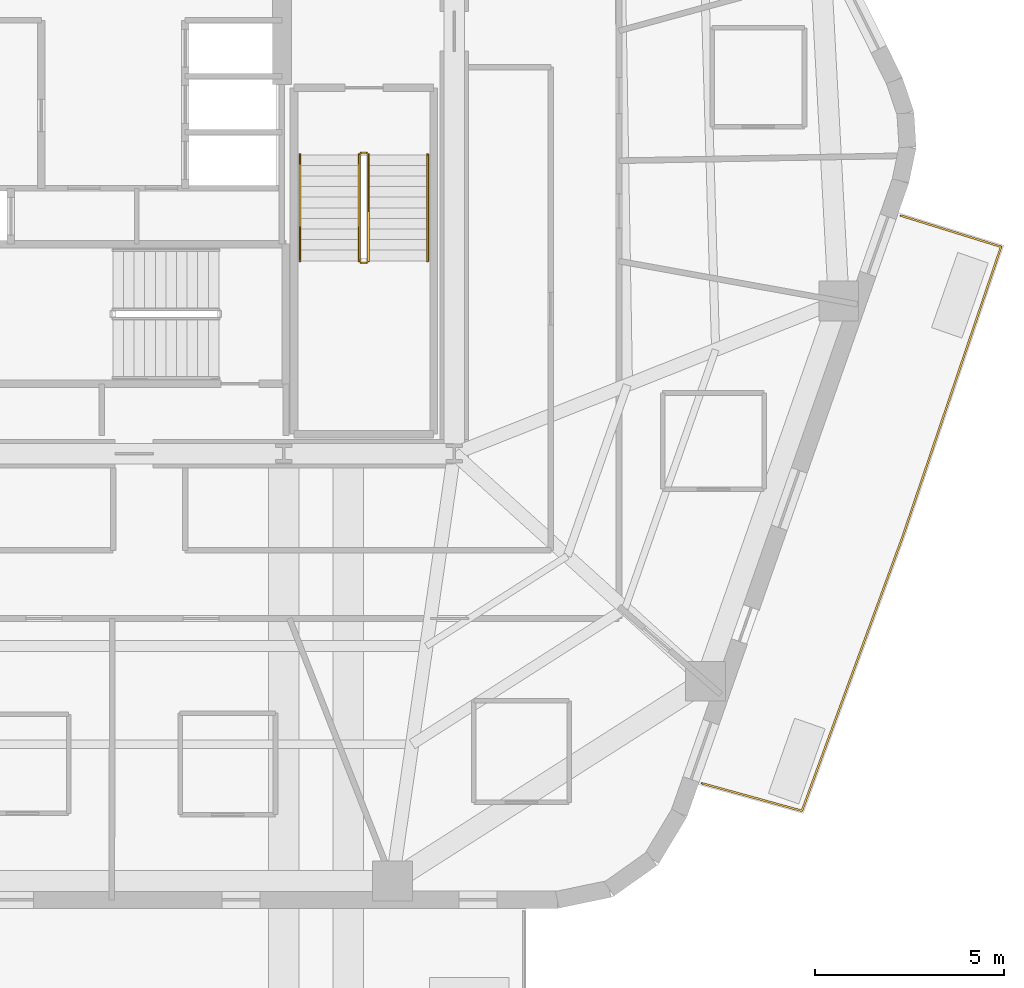
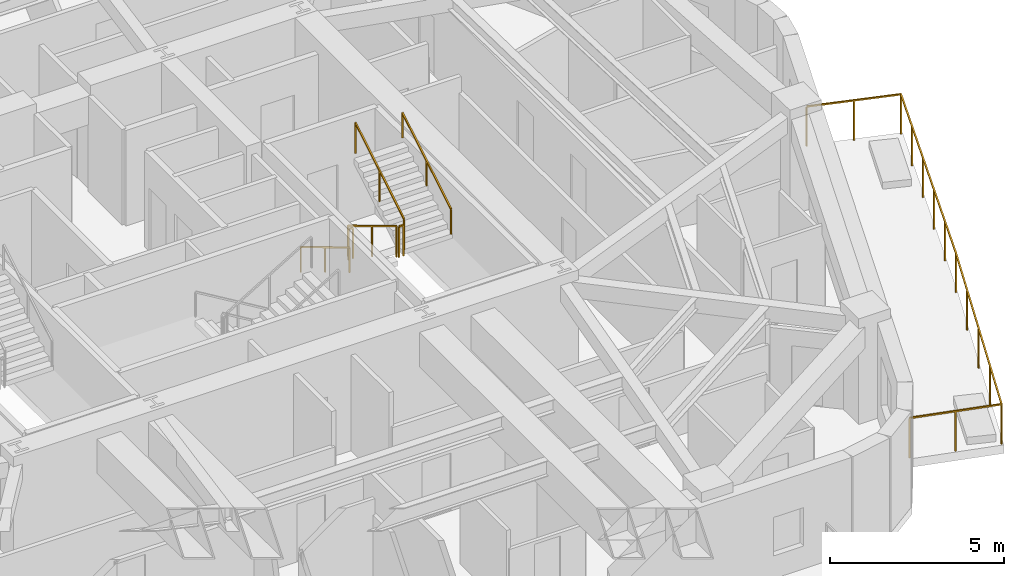
# One storey, part 10 of 11: 7 railings.
"""IFC4 building model written with IfcOpenShell, lengths in metres."""

import ifcopenshell
import ifcopenshell.guid

model = None  # the IFC model being written
_history = None  # IfcOwnerHistory: only IFC2X3 demands one
_inside = {}  # id of a spatial element -> (the spatial element, [elements in it])
_under = {}  # id of a project, library or spatial element -> (it, [spatial elements below it])
_declared = {}  # id of a project -> (the project, [libraries it declares])
_typed = {}  # id of a type object -> (the type object, [elements of that type])
_made_of = {}  # id of a material, layer set ... -> (it, [elements and type objects made of it])


def new_model(schema):
    """Start an empty IFC model of exactly this schema.

    Asked for "IFC4X3", IfcOpenShell would pick the latest addendum, in which some entities
    have other attributes; the version numbers below select the first issue.
    IFC2X3 requires an IfcOwnerHistory on every rooted entity: one is made here for all.
    """
    global model, _history
    if schema == "IFC4X3":
        model = ifcopenshell.file(schema_version=(4, 3, 0, 0))
    else:
        model = ifcopenshell.file(schema=schema)
    _inside.clear()
    _under.clear()
    _declared.clear()
    _typed.clear()
    _made_of.clear()
    _history = None
    if model.schema == "IFC2X3":
        org = make("IfcOrganization", Name="unknown")
        user = make(
            "IfcPersonAndOrganization",
            ThePerson=make("IfcPerson", FamilyName="unknown"),
            TheOrganization=org,
        )
        app = make(
            "IfcApplication",
            ApplicationDeveloper=org,
            Version="unknown",
            ApplicationFullName="unknown",
            ApplicationIdentifier="unknown",
        )
        _history = make(
            "IfcOwnerHistory",
            OwningUser=user,
            OwningApplication=app,
            ChangeAction="ADDED",
            CreationDate=0,
        )
    return model


def make(cls, **values):
    """One entity of the class cls with the attributes given. An attribute that is None is left unset."""
    return model.create_entity(
        cls, **{name: value for name, value in values.items() if value is not None}
    )


def rooted(cls, **values):
    """An entity with a GlobalId (a new one), such as an element, a storey or a relation."""
    return make(cls, GlobalId=ifcopenshell.guid.new(), OwnerHistory=_history, **values)


def si_unit(unit_type, name, prefix=None):
    """IfcSIUnit, for example si_unit("LENGTHUNIT", "METRE", prefix="MILLI")."""
    return make("IfcSIUnit", UnitType=unit_type, Prefix=prefix, Name=name)


def assignment(units):
    """IfcUnitAssignment: the units of a project."""
    return None if units is None else make("IfcUnitAssignment", Units=units)


def point(xyz):
    """IfcCartesianPoint."""
    return None if xyz is None else make("IfcCartesianPoint", Coordinates=xyz)


def direction(xyz):
    """IfcDirection."""
    return None if xyz is None else make("IfcDirection", DirectionRatios=xyz)


def frame(location, z_axis=None, x_axis=None):
    """IfcAxis2Placement3D, a coordinate frame: its origin and axes. An axis left out is left unset."""
    return make(
        "IfcAxis2Placement3D",
        Location=point(location),
        Axis=direction(z_axis),
        RefDirection=direction(x_axis),
    )


def frame_2d(location, x_axis=None):
    """IfcAxis2Placement2D, a coordinate frame in the plane: its origin and x axis."""
    return make(
        "IfcAxis2Placement2D", Location=point(location), RefDirection=direction(x_axis)
    )


def origin():
    """The frame at (0, 0, 0) with its axes left unset."""
    return frame((0.0, 0.0, 0.0))


def origin_2d():
    """The frame at (0, 0) in the plane with its x axis left unset."""
    return frame_2d((0.0, 0.0))


def place(relative_to, where):
    """IfcLocalPlacement: puts the frame where relative to a parent placement (None: the world)."""
    return make(
        "IfcLocalPlacement", PlacementRelTo=relative_to, RelativePlacement=where
    )


def context(
    kind, dimensions, precision=None, world=None, true_north=None, identifier=None
):
    """IfcGeometricRepresentationContext, for example the 3D "Model" context."""
    return make(
        "IfcGeometricRepresentationContext",
        ContextIdentifier=identifier,
        ContextType=kind,
        CoordinateSpaceDimension=dimensions,
        Precision=precision,
        WorldCoordinateSystem=world,
        TrueNorth=true_north,
    )


def subcontext(parent, identifier, kind, view, scale=None):
    """IfcGeometricRepresentationSubContext, for example "Body" below "Model"."""
    return make(
        "IfcGeometricRepresentationSubContext",
        ContextIdentifier=identifier,
        ContextType=kind,
        ParentContext=parent,
        TargetScale=scale,
        TargetView=view,
    )


def project(units=None, contexts=None):
    """IfcProject with its units and contexts."""
    return rooted(
        "IfcProject",
        Name="project",
        RepresentationContexts=contexts,
        UnitsInContext=assignment(units),
    )


def spatial(cls, under=None, at=None, **own):
    """A site, building, storey or space (cls), placed at a placement, below another one or the project."""
    s = rooted(cls, ObjectPlacement=at, **own)
    if under is not None:
        _under.setdefault(under.id(), (under, []))[1].append(s)
    return s


def profile(cls, at=None, kind="AREA", **sizes):
    """A parametric profile (cls). Its sizes go by their IFC names, for example OverallWidth=200.0."""
    return make(cls, ProfileType=kind, Position=at, **sizes)


def rectangle(**sizes):
    """IfcRectangleProfileDef."""
    return profile("IfcRectangleProfileDef", **sizes)


def extrude(swept, where, along, depth):
    """IfcExtrudedAreaSolid: the profile swept, set in the frame where, extruded along a direction by depth."""
    return make(
        "IfcExtrudedAreaSolid",
        SweptArea=swept,
        Position=where,
        ExtrudedDirection=direction(along),
        Depth=depth,
    )


def shape(context_of_items, identifier, shape_type, items):
    """IfcShapeRepresentation: the items that make up one representation, for example the "Body"."""
    return make(
        "IfcShapeRepresentation",
        ContextOfItems=context_of_items,
        RepresentationIdentifier=identifier,
        RepresentationType=shape_type,
        Items=items,
    )


def material(Name=None, Category=None):
    """IfcMaterial."""
    return make("IfcMaterial", Name=Name, Category=Category)


def layer(
    of_material, thickness, ventilated=None, Name=None, Category=None, Priority=None
):
    """IfcMaterialLayer: one layer of a wall or slab, of a material (None: an air gap)."""
    return make(
        "IfcMaterialLayer",
        Material=of_material,
        LayerThickness=thickness,
        IsVentilated=ventilated,
        Name=Name,
        Category=Category,
        Priority=Priority,
    )


def layer_set(layers, Name=None):
    """IfcMaterialLayerSet."""
    return make("IfcMaterialLayerSet", MaterialLayers=layers, LayerSetName=Name)


def made_of(thing, what):
    """Note that an element or type object is made of a material, layer set ...; save() writes the relation."""
    if what is not None:
        _made_of.setdefault(what.id(), (what, []))[1].append(thing)
    return thing


def type_object(cls, material=None, **own):
    """A type object (cls), such as IfcWallType, which elements share."""
    return made_of(rooted(cls, **own), material)


def element(
    cls,
    number,
    at=None,
    inside=None,
    cuts=None,
    type_object=None,
    material=None,
    context=None,
    identifier="Body",
    shape_type=None,
    held_by="IfcProductDefinitionShape",
    body=None,
    shapes=None,
    **own,
):
    """One element of the class cls, such as IfcWall. Its Tag is "e" and its number.

    at: its placement. inside: the storey or other place that contains it. cuts: it is an
    opening in that element (IfcRelVoidsElement). A single representation is given by context,
    identifier, shape_type and body (its items); several are given by shapes. held_by: the class
    of the entity that holds the representations. save() writes the other relations.
    """
    e = rooted(cls, Tag="e%d" % number, ObjectPlacement=at, **own)
    if body is not None:
        shapes = [shape(context, identifier, shape_type, body)]
    if shapes is not None:
        e.Representation = make(held_by, Representations=shapes)
    if inside is not None:
        _inside.setdefault(inside.id(), (inside, []))[1].append(e)
    if cuts is not None:
        rooted(
            "IfcRelVoidsElement", RelatingBuildingElement=cuts, RelatedOpeningElement=e
        )
    if type_object is not None:
        _typed.setdefault(type_object.id(), (type_object, []))[1].append(e)
    return made_of(e, material)


def aggregate(whole, parts):
    """IfcRelAggregates: a whole, such as a stair, and the parts it consists of."""
    return rooted("IfcRelAggregates", RelatingObject=whole, RelatedObjects=parts)


def save(model, path):
    """Write the relations noted so far, then the file.

    IfcRelAggregates (storeys below a building ...), IfcRelContainedInSpatialStructure (elements
    in a storey), IfcRelDefinesByType, IfcRelAssociatesMaterial and IfcRelDeclares: one each for
    every whole, place, type object, material and project.
    """
    for whole, parts in _under.values():
        aggregate(whole, parts)
    for where, things in _inside.values():
        rooted(
            "IfcRelContainedInSpatialStructure",
            RelatedElements=things,
            RelatingStructure=where,
        )
    for kind, things in _typed.values():
        rooted("IfcRelDefinesByType", RelatedObjects=things, RelatingType=kind)
    for what, things in _made_of.values():
        rooted("IfcRelAssociatesMaterial", RelatedObjects=things, RelatingMaterial=what)
    for by, libraries in _declared.values():
        rooted("IfcRelDeclares", RelatingContext=by, RelatedDefinitions=libraries)
    model.write(path)


model = new_model("IFC4")

# Units and contexts
model_context = context("Model", 3, precision=1e-05, world=origin(), true_north=direction((0.0, 1.0)))
body_context = subcontext(model_context, "Body", "Model", "MODEL_VIEW")
ifc_project = project(units=[si_unit("LENGTHUNIT", "METRE"), si_unit("AREAUNIT", "SQUARE_METRE"), si_unit("VOLUMEUNIT", "CUBIC_METRE"), si_unit("PLANEANGLEUNIT", "RADIAN"), si_unit("MASSUNIT", "GRAM", prefix="KILO")], contexts=[model_context])

# Site, building, storey
site_placement = place(None, origin())
site = spatial("IfcSite", under=ifc_project, at=site_placement, CompositionType="ELEMENT")
building_placement = place(site_placement, origin())
building = spatial("IfcBuilding", under=site, at=building_placement, Name="Kilnhurst Terrace Hotel", CompositionType="ELEMENT")
storey_placement = place(building_placement, frame((0.0, 0.0, 197.800048828125)))
storey = spatial("IfcBuildingStorey", under=building, at=storey_placement, Name="L49", CompositionType="ELEMENT", Elevation=197.800048828125)

# Railings
ifc_material_1 = material(Name="Laminated SentryGlas and Stainless Steel AISI 316L Balustrade", Category="steel")
ifc_layer_1 = layer(ifc_material_1, 0.070068359375, Name="Laminated SentryGlas and Stainless Steel AISI 316L Balustrade")
ifc_layer_set_1 = layer_set([ifc_layer_1], Name="Laminated SentryGlas and Stainless Steel AISI 316L Balustrade")
railing_type_1 = type_object("IfcRailingType", Name="RLG-BAL-1420", PredefinedType="BALUSTRADE", material=ifc_layer_set_1)
railing_1_placement = place(storey_placement, frame((20.783935546875, -1.215087890625, 0.0)))
element("IfcRailing", 1, at=railing_1_placement, inside=storey, type_object=railing_type_1, Name="L49 Exterior Terrace Guardrail BAL-L1B.1", PredefinedType="BALUSTRADE", context=body_context, shape_type="SweptSolid", body=[
    extrude(rectangle(XDim=0.048095703125, YDim=0.048095703125, at=origin_2d()), frame((0.0, 0.0, 1.39599609375), z_axis=(0.954948187333, -0.29677257203, 0.0), x_axis=(0.29677257203, 0.954948187333, 0.0)), (0.0, 0.0, 1.0), 2.7763671875),
    extrude(rectangle(XDim=0.048095703125, YDim=0.048095703125, at=origin_2d()), frame((2.6513671875, -0.823974609375, 1.39599609375), z_axis=(-0.321641701575, -0.946861455445, 0.0), x_axis=(0.946861455445, -0.321641701575, 0.0)), (0.0, 0.0, 1.0), 8.082275390625),
    extrude(rectangle(XDim=0.048095703125, YDim=0.048095703125, at=origin_2d()), frame((0.0517578125, -8.476806640625, 1.39599609375), z_axis=(-0.344704120874, -0.938711387516, 0.0), x_axis=(0.938711387516, -0.344704120874, 0.0)), (0.0, 0.0, 1.0), 7.7080078125),
    extrude(rectangle(XDim=0.048095703125, YDim=0.048095703125, at=origin_2d()), frame((-2.605224609375, -15.71240234375, 1.39599609375), z_axis=(-0.964239560757, 0.265032204593, 0.0), x_axis=(-0.265032204593, -0.964239560757, 0.0)), (0.0, 0.0, 1.0), 2.739501953125),
    extrude(rectangle(XDim=0.0419921875, YDim=0.0419921875, at=origin_2d()), origin(), (0.0, 0.0, 1.0), 1.371826171875),
    extrude(rectangle(XDim=0.0419921875, YDim=0.0419921875, at=origin_2d()), frame((1.32568359375, -0.412109375, 0.0)), (0.0, 0.0, 1.0), 1.371826171875),
    extrude(rectangle(XDim=0.0419921875, YDim=0.0419921875, at=origin_2d()), frame((2.6513671875, -0.823974609375, 0.0)), (0.0, 0.0, 1.0), 1.371826171875),
    extrude(rectangle(XDim=0.0419921875, YDim=0.0419921875, at=origin_2d()), frame((2.13134765625, -2.3544921875, 0.0)), (0.0, 0.0, 1.0), 1.371826171875),
    extrude(rectangle(XDim=0.0419921875, YDim=0.0419921875, at=origin_2d()), frame((1.611572265625, -3.885009765625, 0.0)), (0.0, 0.0, 1.0), 1.371826171875),
    extrude(rectangle(XDim=0.0419921875, YDim=0.0419921875, at=origin_2d()), frame((1.091552734375, -5.415771484375, 0.0)), (0.0, 0.0, 1.0), 1.371826171875),
    extrude(rectangle(XDim=0.0419921875, YDim=0.0419921875, at=origin_2d()), frame((0.57177734375, -6.9462890625, 0.0)), (0.0, 0.0, 1.0), 1.371826171875),
    extrude(rectangle(XDim=0.0419921875, YDim=0.0419921875, at=origin_2d()), frame((0.0517578125, -8.476806640625, 0.0)), (0.0, 0.0, 1.0), 1.371826171875),
    extrude(rectangle(XDim=0.0419921875, YDim=0.0419921875, at=origin_2d()), frame((-0.612548828125, -10.28564453125, 0.0)), (0.0, 0.0, 1.0), 1.371826171875),
    extrude(rectangle(XDim=0.0419921875, YDim=0.0419921875, at=origin_2d()), frame((-1.27685546875, -12.0947265625, 0.0)), (0.0, 0.0, 1.0), 1.371826171875),
    extrude(rectangle(XDim=0.0419921875, YDim=0.0419921875, at=origin_2d()), frame((-1.94091796875, -13.903564453125, 0.0)), (0.0, 0.0, 1.0), 1.371826171875),
    extrude(rectangle(XDim=0.0419921875, YDim=0.0419921875, at=origin_2d()), frame((-2.605224609375, -15.71240234375, 0.0)), (0.0, 0.0, 1.0), 1.371826171875),
    extrude(rectangle(XDim=0.0419921875, YDim=0.0419921875, at=origin_2d()), frame((-3.926025390625, -15.349365234375, 0.0)), (0.0, 0.0, 1.0), 1.371826171875),
    extrude(rectangle(XDim=0.0419921875, YDim=0.0419921875, at=origin_2d()), frame((-5.246826171875, -14.986328125, 0.0)), (0.0, 0.0, 1.0), 1.371826171875),
])
ifc_material_2 = material(Name="Powder-Coated Steel ASTM A500 Grade B", Category="steel")
ifc_layer_2 = layer(ifc_material_2, 0.050048828125, Name="Powder-Coated Steel ASTM A500 Grade B")
ifc_layer_set_2 = layer_set([ifc_layer_2], Name="Powder-Coated Steel ASTM A500 Grade B")
railing_type_2 = type_object("IfcRailingType", Name="RLG-ST-GRD-1100", PredefinedType="GUARDRAIL", material=ifc_layer_set_2)
railing_2_placement = place(storey_placement, frame((6.489990234375, 0.389892578125, 0.168212890625)))
element("IfcRailing", 2, at=railing_2_placement, inside=storey, type_object=railing_type_2, Name="L49 ST-2 stair guard 1", PredefinedType="GUARDRAIL", context=body_context, shape_type="SweptSolid", body=[
    extrude(rectangle(XDim=0.048095703125, YDim=0.048095703125, at=origin_2d()), frame((0.0, 0.0, 1.076171875), z_axis=(0.0, -0.857255387014, 0.514891446264), x_axis=(1.0, 0.0, 0.0)), (0.0, 0.0, 1.0), 3.26611328125),
    extrude(rectangle(XDim=0.0419921875, YDim=0.0419921875, at=origin_2d()), origin(), (0.0, 0.0, 1.0), 1.052001953125),
    extrude(rectangle(XDim=0.0419921875, YDim=0.0419921875, at=origin_2d()), frame((0.0, -1.39990234375, 0.8408203125)), (0.0, 0.0, 1.0), 1.052001953125),
    extrude(rectangle(XDim=0.0419921875, YDim=0.0419921875, at=origin_2d()), frame((0.0, -2.7998046875, 1.681640625)), (0.0, 0.0, 1.0), 1.052001953125),
])
railing_3_placement = place(storey_placement, frame((6.5400390625, -2.4599609375, 1.849853515625)))
element("IfcRailing", 3, at=railing_3_placement, inside=storey, type_object=railing_type_2, Name="L49 ST-2 stair guard 2", PredefinedType="GUARDRAIL", context=body_context, shape_type="SweptSolid", body=[
    extrude(rectangle(XDim=0.048095703125, YDim=0.048095703125, at=origin_2d()), frame((0.0, 0.0, 1.076171875), z_axis=(1.0, 0.0, 0.0), x_axis=(0.0, 1.0, 0.0)), (0.0, 0.0, 1.0), 0.14990234375),
    extrude(rectangle(XDim=0.0419921875, YDim=0.0419921875, at=origin_2d()), origin(), (0.0, 0.0, 1.0), 1.052001953125),
    extrude(rectangle(XDim=0.0419921875, YDim=0.0419921875, at=origin_2d()), frame((0.14990234375, 0.0, 0.0)), (0.0, 0.0, 1.0), 1.052001953125),
])
railing_4_placement = place(storey_placement, frame((6.739990234375, -2.409912109375, 2.01806640625)))
element("IfcRailing", 4, at=railing_4_placement, inside=storey, type_object=railing_type_2, Name="L49 ST-2 stair guard 3", PredefinedType="GUARDRAIL", context=body_context, shape_type="SweptSolid", body=[
    extrude(rectangle(XDim=0.048095703125, YDim=0.048095703125, at=origin_2d()), frame((0.0, 0.0, 1.076171875), z_axis=(0.0, 0.857222391501, 0.514946377315), x_axis=(-1.0, 0.0, 0.0)), (0.0, 0.0, 1.0), 3.26611328125),
    extrude(rectangle(XDim=0.0419921875, YDim=0.0419921875, at=origin_2d()), origin(), (0.0, 0.0, 1.0), 1.052001953125),
    extrude(rectangle(XDim=0.0419921875, YDim=0.0419921875, at=origin_2d()), frame((0.0, 1.39990234375, 0.8408203125)), (0.0, 0.0, 1.0), 1.052001953125),
    extrude(rectangle(XDim=0.0419921875, YDim=0.0419921875, at=origin_2d()), frame((0.0, 2.7998046875, 1.681884765625)), (0.0, 0.0, 1.0), 1.052001953125),
])
railing_5_placement = place(storey_placement, frame((6.5400390625, 0.43994140625, 0.0)))
element("IfcRailing", 5, at=railing_5_placement, inside=storey, type_object=railing_type_2, Name="L49 ST-2 stair guard 4", PredefinedType="GUARDRAIL", context=body_context, shape_type="SweptSolid", body=[
    extrude(rectangle(XDim=0.048095703125, YDim=0.048095703125, at=origin_2d()), frame((0.0, 0.0, 1.076171875), z_axis=(1.0, 0.0, 0.0), x_axis=(0.0, 1.0, 0.0)), (0.0, 0.0, 1.0), 0.14990234375),
    extrude(rectangle(XDim=0.0419921875, YDim=0.0419921875, at=origin_2d()), origin(), (0.0, 0.0, 1.0), 1.052001953125),
    extrude(rectangle(XDim=0.0419921875, YDim=0.0419921875, at=origin_2d()), frame((0.14990234375, 0.0, 0.0)), (0.0, 0.0, 1.0), 1.052001953125),
])
ifc_material_3 = material(Name="Brushed Stainless Steel AISI 304", Category="steel")
ifc_layer_3 = layer(ifc_material_3, 0.048095703125, Name="Brushed Stainless Steel AISI 304")
ifc_layer_set_3 = layer_set([ifc_layer_3], Name="Brushed Stainless Steel AISI 304")
railing_type_3 = type_object("IfcRailingType", Name="RLG-ST-HRL-900", PredefinedType="HANDRAIL", material=ifc_layer_set_3)
railing_6_placement = place(storey_placement, frame((4.929931640625, 0.389892578125, 0.168212890625)))
element("IfcRailing", 6, at=railing_6_placement, inside=storey, type_object=railing_type_3, Name="L49 ST-2 stair handrail 1", PredefinedType="HANDRAIL", context=body_context, shape_type="SweptSolid", body=[
    extrude(rectangle(XDim=0.048095703125, YDim=0.048095703125, at=origin_2d()), frame((0.0, 0.0, 0.8759765625), z_axis=(0.0, -0.857255387014, 0.514891446264), x_axis=(1.0, 0.0, 0.0)), (0.0, 0.0, 1.0), 3.26611328125),
    extrude(rectangle(XDim=0.0419921875, YDim=0.0419921875, at=origin_2d()), origin(), (0.0, 0.0, 1.0), 0.851806640625),
    extrude(rectangle(XDim=0.0419921875, YDim=0.0419921875, at=origin_2d()), frame((0.0, -1.39990234375, 0.8408203125)), (0.0, 0.0, 1.0), 0.851806640625),
    extrude(rectangle(XDim=0.0419921875, YDim=0.0419921875, at=origin_2d()), frame((0.0, -2.7998046875, 1.681640625)), (0.0, 0.0, 1.0), 0.851806640625),
])
railing_7_placement = place(storey_placement, frame((8.300048828125, -2.409912109375, 2.01806640625)))
element("IfcRailing", 7, at=railing_7_placement, inside=storey, type_object=railing_type_3, Name="L49 ST-2 stair handrail 2", PredefinedType="HANDRAIL", context=body_context, shape_type="SweptSolid", body=[
    extrude(rectangle(XDim=0.048095703125, YDim=0.048095703125, at=origin_2d()), frame((0.0, 0.0, 0.8759765625), z_axis=(0.0, 0.857222391501, 0.514946377315), x_axis=(-1.0, 0.0, 0.0)), (0.0, 0.0, 1.0), 3.26611328125),
    extrude(rectangle(XDim=0.0419921875, YDim=0.0419921875, at=origin_2d()), origin(), (0.0, 0.0, 1.0), 0.851806640625),
    extrude(rectangle(XDim=0.0419921875, YDim=0.0419921875, at=origin_2d()), frame((0.0, 1.39990234375, 0.8408203125)), (0.0, 0.0, 1.0), 0.851806640625),
    extrude(rectangle(XDim=0.0419921875, YDim=0.0419921875, at=origin_2d()), frame((0.0, 2.7998046875, 1.681884765625)), (0.0, 0.0, 1.0), 0.851806640625),
])

save(model, "model.ifc")
